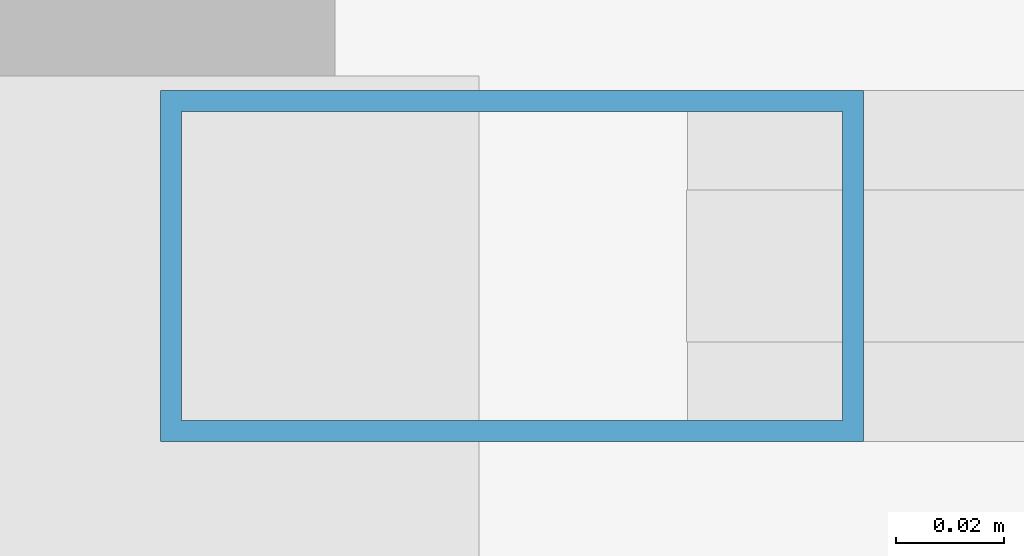
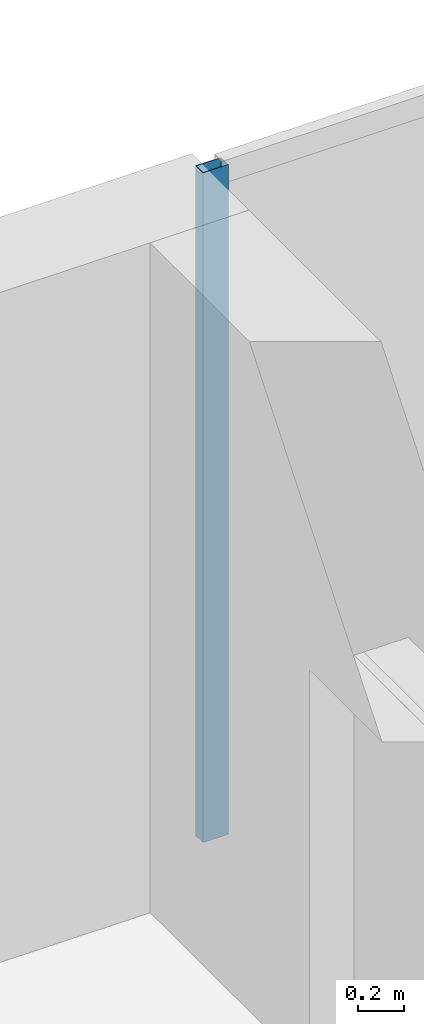
# One storey, part 8 of 15: 1 member, 1 element without a shape of its own.
"""IFC4 building model written with IfcOpenShell, lengths in metres."""

from ifc_helpers import new_model, si_unit, direction, frame, origin, origin_2d, place, context, subcontext, project, spatial, hollow_rectangle, extrude, material, material_profile, profile_set, type_object, element, aggregate, save


model = new_model("IFC4")

# Units and contexts
model_context = context("Model", 3, precision=1e-05, world=origin(), true_north=direction((0.0, 1.0)))
body_context = subcontext(model_context, "Body", "Model", "MODEL_VIEW")
ifc_project = project(units=[si_unit("LENGTHUNIT", "METRE"), si_unit("AREAUNIT", "SQUARE_METRE"), si_unit("VOLUMEUNIT", "CUBIC_METRE"), si_unit("PLANEANGLEUNIT", "RADIAN"), si_unit("MASSUNIT", "GRAM", prefix="KILO")], contexts=[model_context])

# Site, building, storey
site_placement = place(None, origin())
site = spatial("IfcSite", under=ifc_project, at=site_placement, CompositionType="ELEMENT")
building_placement = place(site_placement, origin())
building = spatial("IfcBuilding", under=site, at=building_placement, Name="Cobrela Telecom Tower", CompositionType="ELEMENT")
storey_placement = place(building_placement, frame((0.0, 0.0, 297.5)))
storey = spatial("IfcBuildingStorey", under=building, at=storey_placement, Name="L78", CompositionType="ELEMENT", Elevation=297.5)

# Curtain wall, member
ifc_material = material(Name="Anodized Bronze Aluminium 6063-T6", Category="aluminium")
curtain_wall_type = type_object("IfcCurtainWallType", Name="CW-SYS-DRUM", PredefinedType="USERDEFINED", material=ifc_material)
curtain_wall_placement = place(storey_placement, origin())
curtain_wall = element("IfcCurtainWall", 1, at=curtain_wall_placement, inside=storey, type_object=curtain_wall_type, Name="L78 Unitised Bronze Curtain Wall 01", ObjectType="UNITISED CURTAIN WALL", PredefinedType="USERDEFINED")
ifc_material_profile = material_profile(ifc_material, hollow_rectangle(XDim=0.06494140625, YDim=0.1298828125, WallThickness=0.00390625, at=origin_2d()), Name="ALU 65x130x4")
ifc_profile_set = profile_set([ifc_material_profile], Name="Anodized Bronze Aluminium 6063-T6")
member_type = type_object("IfcMemberType", Name="CW-SYS-DRUM-MUL", PredefinedType="MULLION", material=ifc_profile_set)
member_placement = place(storey_placement, frame((14.4326171875, 35.8798828125, 0.0), z_axis=(0.0, 0.0, 1.0), x_axis=(0.0, 1.0, 0.0)))
member = element("IfcMember", 2, at=member_placement, type_object=member_type, Name="CW-DRUM mullion 1", PredefinedType="MULLION", context=body_context, shape_type="SweptSolid", body=[
    extrude(hollow_rectangle(XDim=0.06494140625, YDim=0.1298828125, WallThickness=0.00390625, at=origin_2d()), origin(), (0.0, 0.0, 1.0), 3.590087890625),
])
aggregate(curtain_wall, [member])

save(model, "model.ifc")
